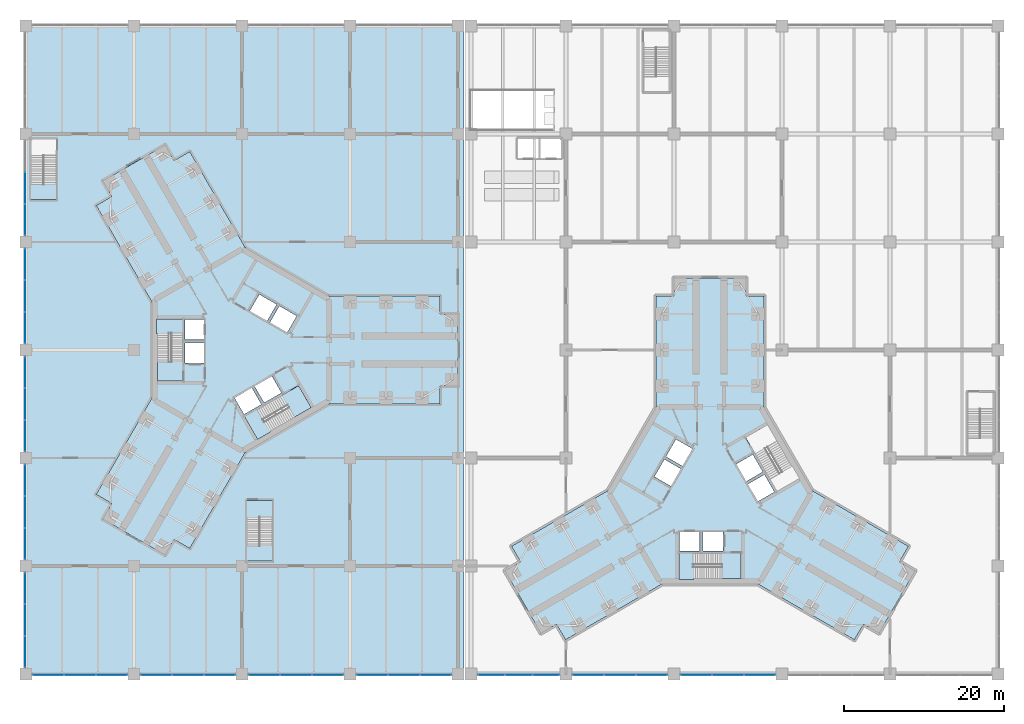
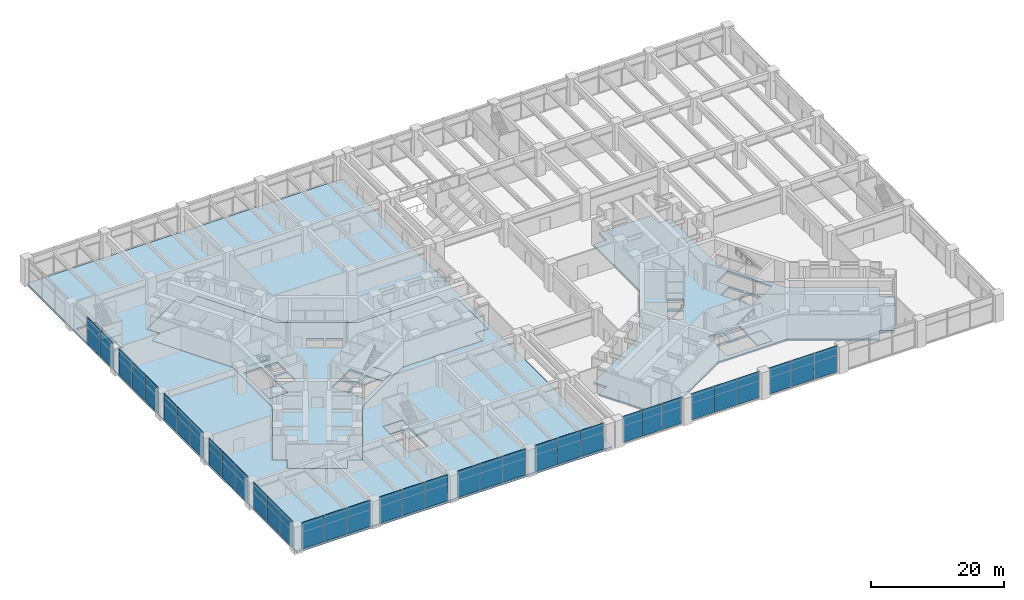
# One storey, part 18 of 32: 35 plates, 12 slabs, 17 elements without a shape of their own.
"""IFC4 building model written with IfcOpenShell, lengths in metres."""

import ifcopenshell
import ifcopenshell.guid

model = None  # the IFC model being written
_history = None  # IfcOwnerHistory: only IFC2X3 demands one
_inside = {}  # id of a spatial element -> (the spatial element, [elements in it])
_under = {}  # id of a project, library or spatial element -> (it, [spatial elements below it])
_declared = {}  # id of a project -> (the project, [libraries it declares])
_typed = {}  # id of a type object -> (the type object, [elements of that type])
_made_of = {}  # id of a material, layer set ... -> (it, [elements and type objects made of it])


def new_model(schema):
    """Start an empty IFC model of exactly this schema.

    Asked for "IFC4X3", IfcOpenShell would pick the latest addendum, in which some entities
    have other attributes; the version numbers below select the first issue.
    IFC2X3 requires an IfcOwnerHistory on every rooted entity: one is made here for all.
    """
    global model, _history
    if schema == "IFC4X3":
        model = ifcopenshell.file(schema_version=(4, 3, 0, 0))
    else:
        model = ifcopenshell.file(schema=schema)
    _inside.clear()
    _under.clear()
    _declared.clear()
    _typed.clear()
    _made_of.clear()
    _history = None
    if model.schema == "IFC2X3":
        org = make("IfcOrganization", Name="unknown")
        user = make(
            "IfcPersonAndOrganization",
            ThePerson=make("IfcPerson", FamilyName="unknown"),
            TheOrganization=org,
        )
        app = make(
            "IfcApplication",
            ApplicationDeveloper=org,
            Version="unknown",
            ApplicationFullName="unknown",
            ApplicationIdentifier="unknown",
        )
        _history = make(
            "IfcOwnerHistory",
            OwningUser=user,
            OwningApplication=app,
            ChangeAction="ADDED",
            CreationDate=0,
        )
    return model


def make(cls, **values):
    """One entity of the class cls with the attributes given. An attribute that is None is left unset."""
    return model.create_entity(
        cls, **{name: value for name, value in values.items() if value is not None}
    )


def rooted(cls, **values):
    """An entity with a GlobalId (a new one), such as an element, a storey or a relation."""
    return make(cls, GlobalId=ifcopenshell.guid.new(), OwnerHistory=_history, **values)


def si_unit(unit_type, name, prefix=None):
    """IfcSIUnit, for example si_unit("LENGTHUNIT", "METRE", prefix="MILLI")."""
    return make("IfcSIUnit", UnitType=unit_type, Prefix=prefix, Name=name)


def assignment(units):
    """IfcUnitAssignment: the units of a project."""
    return None if units is None else make("IfcUnitAssignment", Units=units)


def point(xyz):
    """IfcCartesianPoint."""
    return None if xyz is None else make("IfcCartesianPoint", Coordinates=xyz)


def direction(xyz):
    """IfcDirection."""
    return None if xyz is None else make("IfcDirection", DirectionRatios=xyz)


def frame(location, z_axis=None, x_axis=None):
    """IfcAxis2Placement3D, a coordinate frame: its origin and axes. An axis left out is left unset."""
    return make(
        "IfcAxis2Placement3D",
        Location=point(location),
        Axis=direction(z_axis),
        RefDirection=direction(x_axis),
    )


def frame_2d(location, x_axis=None):
    """IfcAxis2Placement2D, a coordinate frame in the plane: its origin and x axis."""
    return make(
        "IfcAxis2Placement2D", Location=point(location), RefDirection=direction(x_axis)
    )


def origin():
    """The frame at (0, 0, 0) with its axes left unset."""
    return frame((0.0, 0.0, 0.0))


def origin_2d():
    """The frame at (0, 0) in the plane with its x axis left unset."""
    return frame_2d((0.0, 0.0))


def place(relative_to, where):
    """IfcLocalPlacement: puts the frame where relative to a parent placement (None: the world)."""
    return make(
        "IfcLocalPlacement", PlacementRelTo=relative_to, RelativePlacement=where
    )


def context(
    kind, dimensions, precision=None, world=None, true_north=None, identifier=None
):
    """IfcGeometricRepresentationContext, for example the 3D "Model" context."""
    return make(
        "IfcGeometricRepresentationContext",
        ContextIdentifier=identifier,
        ContextType=kind,
        CoordinateSpaceDimension=dimensions,
        Precision=precision,
        WorldCoordinateSystem=world,
        TrueNorth=true_north,
    )


def subcontext(parent, identifier, kind, view, scale=None):
    """IfcGeometricRepresentationSubContext, for example "Body" below "Model"."""
    return make(
        "IfcGeometricRepresentationSubContext",
        ContextIdentifier=identifier,
        ContextType=kind,
        ParentContext=parent,
        TargetScale=scale,
        TargetView=view,
    )


def project(units=None, contexts=None):
    """IfcProject with its units and contexts."""
    return rooted(
        "IfcProject",
        Name="project",
        RepresentationContexts=contexts,
        UnitsInContext=assignment(units),
    )


def spatial(cls, under=None, at=None, **own):
    """A site, building, storey or space (cls), placed at a placement, below another one or the project."""
    s = rooted(cls, ObjectPlacement=at, **own)
    if under is not None:
        _under.setdefault(under.id(), (under, []))[1].append(s)
    return s


def polyline(points):
    """IfcPolyline through the points."""
    return make("IfcPolyline", Points=[point(p) for p in points])


def profile(cls, at=None, kind="AREA", **sizes):
    """A parametric profile (cls). Its sizes go by their IFC names, for example OverallWidth=200.0."""
    return make(cls, ProfileType=kind, Position=at, **sizes)


def rectangle(**sizes):
    """IfcRectangleProfileDef."""
    return profile("IfcRectangleProfileDef", **sizes)


def outline(outer, holes=None, kind="AREA"):
    """IfcArbitraryClosedProfileDef: a profile drawn as a closed curve; with holes, ...WithVoids."""
    if holes is None:
        return make("IfcArbitraryClosedProfileDef", ProfileType=kind, OuterCurve=outer)
    return make(
        "IfcArbitraryProfileDefWithVoids",
        ProfileType=kind,
        OuterCurve=outer,
        InnerCurves=holes,
    )


def extrude(swept, where, along, depth):
    """IfcExtrudedAreaSolid: the profile swept, set in the frame where, extruded along a direction by depth."""
    return make(
        "IfcExtrudedAreaSolid",
        SweptArea=swept,
        Position=where,
        ExtrudedDirection=direction(along),
        Depth=depth,
    )


def shape(context_of_items, identifier, shape_type, items):
    """IfcShapeRepresentation: the items that make up one representation, for example the "Body"."""
    return make(
        "IfcShapeRepresentation",
        ContextOfItems=context_of_items,
        RepresentationIdentifier=identifier,
        RepresentationType=shape_type,
        Items=items,
    )


def material(Name=None, Category=None):
    """IfcMaterial."""
    return make("IfcMaterial", Name=Name, Category=Category)


def layer(
    of_material, thickness, ventilated=None, Name=None, Category=None, Priority=None
):
    """IfcMaterialLayer: one layer of a wall or slab, of a material (None: an air gap)."""
    return make(
        "IfcMaterialLayer",
        Material=of_material,
        LayerThickness=thickness,
        IsVentilated=ventilated,
        Name=Name,
        Category=Category,
        Priority=Priority,
    )


def layer_set(layers, Name=None):
    """IfcMaterialLayerSet."""
    return make("IfcMaterialLayerSet", MaterialLayers=layers, LayerSetName=Name)


def made_of(thing, what):
    """Note that an element or type object is made of a material, layer set ...; save() writes the relation."""
    if what is not None:
        _made_of.setdefault(what.id(), (what, []))[1].append(thing)
    return thing


def type_object(cls, material=None, **own):
    """A type object (cls), such as IfcWallType, which elements share."""
    return made_of(rooted(cls, **own), material)


def element(
    cls,
    number,
    at=None,
    inside=None,
    cuts=None,
    type_object=None,
    material=None,
    context=None,
    identifier="Body",
    shape_type=None,
    held_by="IfcProductDefinitionShape",
    body=None,
    shapes=None,
    **own,
):
    """One element of the class cls, such as IfcWall. Its Tag is "e" and its number.

    at: its placement. inside: the storey or other place that contains it. cuts: it is an
    opening in that element (IfcRelVoidsElement). A single representation is given by context,
    identifier, shape_type and body (its items); several are given by shapes. held_by: the class
    of the entity that holds the representations. save() writes the other relations.
    """
    e = rooted(cls, Tag="e%d" % number, ObjectPlacement=at, **own)
    if body is not None:
        shapes = [shape(context, identifier, shape_type, body)]
    if shapes is not None:
        e.Representation = make(held_by, Representations=shapes)
    if inside is not None:
        _inside.setdefault(inside.id(), (inside, []))[1].append(e)
    if cuts is not None:
        rooted(
            "IfcRelVoidsElement", RelatingBuildingElement=cuts, RelatedOpeningElement=e
        )
    if type_object is not None:
        _typed.setdefault(type_object.id(), (type_object, []))[1].append(e)
    return made_of(e, material)


def aggregate(whole, parts):
    """IfcRelAggregates: a whole, such as a stair, and the parts it consists of."""
    return rooted("IfcRelAggregates", RelatingObject=whole, RelatedObjects=parts)


def save(model, path):
    """Write the relations noted so far, then the file.

    IfcRelAggregates (storeys below a building ...), IfcRelContainedInSpatialStructure (elements
    in a storey), IfcRelDefinesByType, IfcRelAssociatesMaterial and IfcRelDeclares: one each for
    every whole, place, type object, material and project.
    """
    for whole, parts in _under.values():
        aggregate(whole, parts)
    for where, things in _inside.values():
        rooted(
            "IfcRelContainedInSpatialStructure",
            RelatedElements=things,
            RelatingStructure=where,
        )
    for kind, things in _typed.values():
        rooted("IfcRelDefinesByType", RelatedObjects=things, RelatingType=kind)
    for what, things in _made_of.values():
        rooted("IfcRelAssociatesMaterial", RelatedObjects=things, RelatingMaterial=what)
    for by, libraries in _declared.values():
        rooted("IfcRelDeclares", RelatingContext=by, RelatedDefinitions=libraries)
    model.write(path)


model = new_model("IFC4")

# Units and contexts
model_context = context("Model", 3, precision=1e-05, world=origin(), true_north=direction((0.0, 1.0)))
body_context = subcontext(model_context, "Body", "Model", "MODEL_VIEW")
ifc_project = project(units=[si_unit("LENGTHUNIT", "METRE"), si_unit("AREAUNIT", "SQUARE_METRE"), si_unit("VOLUMEUNIT", "CUBIC_METRE"), si_unit("PLANEANGLEUNIT", "RADIAN"), si_unit("MASSUNIT", "GRAM", prefix="KILO")], contexts=[model_context])

# Site, building, storey
site_placement = place(None, origin())
site = spatial("IfcSite", under=ifc_project, at=site_placement, CompositionType="ELEMENT")
building_placement = place(site_placement, origin())
building = spatial("IfcBuilding", under=site, at=building_placement, Name="Upepo Twin Towers", CompositionType="ELEMENT")
storey_placement = place(building_placement, frame((0.0, 0.0, 10.5)))
storey = spatial("IfcBuildingStorey", under=building, at=storey_placement, Name="L02", CompositionType="ELEMENT", Elevation=10.5)

# Curtain wall, plates
ifc_material_1 = material(Name="Aluminium and clear glass", Category="aluminium")
curtain_wall_type = type_object("IfcCurtainWallType", Name="Podium curtain wall PW1", PredefinedType="NOTDEFINED", material=ifc_material_1)
curtain_wall_1_placement = place(storey_placement, origin())
curtain_wall_1 = element("IfcCurtainWall", 1, at=curtain_wall_1_placement, inside=storey, type_object=curtain_wall_type, Name="Podium L02 curtain wall S1", PredefinedType="NOTDEFINED")
ifc_material_2 = material(Name="Ceramic-fritted laminated glass", Category="glass")
ifc_layer_1 = layer(ifc_material_2, 0.031982421875)
ifc_layer_set_1 = layer_set([ifc_layer_1], Name="Fritted glass panel, 32 mm double glazed")
plate_type_1 = type_object("IfcPlateType", Name="Fritted glass panel, 32 mm double glazed", PredefinedType="CURTAIN_PANEL", material=ifc_layer_set_1)
plate_1_placement = place(storey_placement, frame((-24.21044921875, -40.60009765625, 0.14990234375), z_axis=(0.0, 0.0, 1.0), x_axis=(1.0, 0.0, 0.0)))
plate_1 = element("IfcPlate", 2, at=plate_1_placement, type_object=plate_type_1, Name="Podium L02 curtain wall S1 panel 1", PredefinedType="CURTAIN_PANEL", context=body_context, shape_type="SweptSolid", body=[
    extrude(rectangle(XDim=3.879150390625, YDim=0.031982421875, at=origin_2d()), origin(), (0.0, 0.0, 1.0), 4.85009765625),
])
plate_2_placement = place(storey_placement, frame((-16.28955078125, -40.60009765625, 0.14990234375), z_axis=(0.0, 0.0, 1.0), x_axis=(1.0, 0.0, 0.0)))
plate_2 = element("IfcPlate", 3, at=plate_2_placement, type_object=plate_type_1, Name="Podium L02 curtain wall S1 panel 3", PredefinedType="CURTAIN_PANEL", context=body_context, shape_type="SweptSolid", body=[
    extrude(rectangle(XDim=3.879150390625, YDim=0.031982421875, at=origin_2d()), origin(), (0.0, 0.0, 1.0), 4.85009765625),
])

curtain_wall_2_placement = place(storey_placement, origin())
curtain_wall_2 = element("IfcCurtainWall", 4, at=curtain_wall_2_placement, inside=storey, type_object=curtain_wall_type, Name="Podium L02 curtain wall S2", PredefinedType="NOTDEFINED")
plate_3_placement = place(storey_placement, frame((-10.71044921875, -40.60009765625, 0.14990234375), z_axis=(0.0, 0.0, 1.0), x_axis=(1.0, 0.0, 0.0)))
plate_3 = element("IfcPlate", 5, at=plate_3_placement, type_object=plate_type_1, Name="Podium L02 curtain wall S2 panel 1", PredefinedType="CURTAIN_PANEL", context=body_context, shape_type="SweptSolid", body=[
    extrude(rectangle(XDim=3.879150390625, YDim=0.031982421875, at=origin_2d()), origin(), (0.0, 0.0, 1.0), 4.85009765625),
])
plate_4_placement = place(storey_placement, frame((-2.78955078125, -40.60009765625, 0.14990234375), z_axis=(0.0, 0.0, 1.0), x_axis=(1.0, 0.0, 0.0)))
plate_4 = element("IfcPlate", 6, at=plate_4_placement, type_object=plate_type_1, Name="Podium L02 curtain wall S2 panel 3", PredefinedType="CURTAIN_PANEL", context=body_context, shape_type="SweptSolid", body=[
    extrude(rectangle(XDim=3.879150390625, YDim=0.031982421875, at=origin_2d()), origin(), (0.0, 0.0, 1.0), 4.85009765625),
])

curtain_wall_3_placement = place(storey_placement, origin())
curtain_wall_3 = element("IfcCurtainWall", 7, at=curtain_wall_3_placement, inside=storey, type_object=curtain_wall_type, Name="Podium L02 curtain wall S3", PredefinedType="NOTDEFINED")
plate_5_placement = place(storey_placement, frame((2.78955078125, -40.60009765625, 0.14990234375), z_axis=(0.0, 0.0, 1.0), x_axis=(1.0, 0.0, 0.0)))
plate_5 = element("IfcPlate", 8, at=plate_5_placement, type_object=plate_type_1, Name="Podium L02 curtain wall S3 panel 1", PredefinedType="CURTAIN_PANEL", context=body_context, shape_type="SweptSolid", body=[
    extrude(rectangle(XDim=3.879150390625, YDim=0.031982421875, at=origin_2d()), origin(), (0.0, 0.0, 1.0), 4.85009765625),
])
plate_6_placement = place(storey_placement, frame((10.71044921875, -40.60009765625, 0.14990234375), z_axis=(0.0, 0.0, 1.0), x_axis=(1.0, 0.0, 0.0)))
plate_6 = element("IfcPlate", 9, at=plate_6_placement, type_object=plate_type_1, Name="Podium L02 curtain wall S3 panel 3", PredefinedType="CURTAIN_PANEL", context=body_context, shape_type="SweptSolid", body=[
    extrude(rectangle(XDim=3.879150390625, YDim=0.031982421875, at=origin_2d()), origin(), (0.0, 0.0, 1.0), 4.85009765625),
])

curtain_wall_4_placement = place(storey_placement, origin())
curtain_wall_4 = element("IfcCurtainWall", 10, at=curtain_wall_4_placement, inside=storey, type_object=curtain_wall_type, Name="Podium L02 curtain wall S4", PredefinedType="NOTDEFINED")
plate_7_placement = place(storey_placement, frame((16.28955078125, -40.60009765625, 0.14990234375), z_axis=(0.0, 0.0, 1.0), x_axis=(1.0, 0.0, 0.0)))
plate_7 = element("IfcPlate", 11, at=plate_7_placement, type_object=plate_type_1, Name="Podium L02 curtain wall S4 panel 1", PredefinedType="CURTAIN_PANEL", context=body_context, shape_type="SweptSolid", body=[
    extrude(rectangle(XDim=3.879150390625, YDim=0.031982421875, at=origin_2d()), origin(), (0.0, 0.0, 1.0), 4.85009765625),
])
plate_8_placement = place(storey_placement, frame((24.21044921875, -40.60009765625, 0.14990234375), z_axis=(0.0, 0.0, 1.0), x_axis=(1.0, 0.0, 0.0)))
plate_8 = element("IfcPlate", 12, at=plate_8_placement, type_object=plate_type_1, Name="Podium L02 curtain wall S4 panel 3", PredefinedType="CURTAIN_PANEL", context=body_context, shape_type="SweptSolid", body=[
    extrude(rectangle(XDim=3.879150390625, YDim=0.031982421875, at=origin_2d()), origin(), (0.0, 0.0, 1.0), 4.85009765625),
])

curtain_wall_5_placement = place(storey_placement, origin())
curtain_wall_5 = element("IfcCurtainWall", 13, at=curtain_wall_5_placement, inside=storey, type_object=curtain_wall_type, Name="Podium L02 curtain wall S5", PredefinedType="NOTDEFINED")
plate_9_placement = place(storey_placement, frame((31.16455078125, -40.60009765625, 0.14990234375), z_axis=(0.0, 0.0, 1.0), x_axis=(1.0, 0.0, 0.0)))
plate_9 = element("IfcPlate", 14, at=plate_9_placement, type_object=plate_type_1, Name="Podium L02 curtain wall S5 panel 1", PredefinedType="CURTAIN_PANEL", context=body_context, shape_type="SweptSolid", body=[
    extrude(rectangle(XDim=3.3291015625, YDim=0.031982421875, at=origin_2d()), origin(), (0.0, 0.0, 1.0), 4.85009765625),
])
plate_10_placement = place(storey_placement, frame((37.9853515625, -40.60009765625, 0.14990234375), z_axis=(0.0, 0.0, 1.0), x_axis=(1.0, 0.0, 0.0)))
plate_10 = element("IfcPlate", 15, at=plate_10_placement, type_object=plate_type_1, Name="Podium L02 curtain wall S5 panel 3", PredefinedType="CURTAIN_PANEL", context=body_context, shape_type="SweptSolid", body=[
    extrude(rectangle(XDim=3.3291015625, YDim=0.031982421875, at=origin_2d()), origin(), (0.0, 0.0, 1.0), 4.85009765625),
])

curtain_wall_6_placement = place(storey_placement, origin())
curtain_wall_6 = element("IfcCurtainWall", 16, at=curtain_wall_6_placement, inside=storey, type_object=curtain_wall_type, Name="Podium L02 curtain wall S6", PredefinedType="NOTDEFINED")
plate_11_placement = place(storey_placement, frame((43.28955078125, -40.60009765625, 0.14990234375), z_axis=(0.0, 0.0, 1.0), x_axis=(1.0, 0.0, 0.0)))
plate_11 = element("IfcPlate", 17, at=plate_11_placement, type_object=plate_type_1, Name="Podium L02 curtain wall S6 panel 1", PredefinedType="CURTAIN_PANEL", context=body_context, shape_type="SweptSolid", body=[
    extrude(rectangle(XDim=3.879150390625, YDim=0.031982421875, at=origin_2d()), origin(), (0.0, 0.0, 1.0), 4.85009765625),
])
plate_12_placement = place(storey_placement, frame((51.21044921875, -40.60009765625, 0.14990234375), z_axis=(0.0, 0.0, 1.0), x_axis=(1.0, 0.0, 0.0)))
plate_12 = element("IfcPlate", 18, at=plate_12_placement, type_object=plate_type_1, Name="Podium L02 curtain wall S6 panel 3", PredefinedType="CURTAIN_PANEL", context=body_context, shape_type="SweptSolid", body=[
    extrude(rectangle(XDim=3.879150390625, YDim=0.031982421875, at=origin_2d()), origin(), (0.0, 0.0, 1.0), 4.85009765625),
])

curtain_wall_7_placement = place(storey_placement, origin())
curtain_wall_7 = element("IfcCurtainWall", 19, at=curtain_wall_7_placement, inside=storey, type_object=curtain_wall_type, Name="Podium L02 curtain wall S7", PredefinedType="NOTDEFINED")
plate_13_placement = place(storey_placement, frame((56.78955078125, -40.60009765625, 0.14990234375), z_axis=(0.0, 0.0, 1.0), x_axis=(1.0, 0.0, 0.0)))
plate_13 = element("IfcPlate", 20, at=plate_13_placement, type_object=plate_type_1, Name="Podium L02 curtain wall S7 panel 1", PredefinedType="CURTAIN_PANEL", context=body_context, shape_type="SweptSolid", body=[
    extrude(rectangle(XDim=3.879150390625, YDim=0.031982421875, at=origin_2d()), origin(), (0.0, 0.0, 1.0), 4.85009765625),
])
plate_14_placement = place(storey_placement, frame((64.71044921875, -40.60009765625, 0.14990234375), z_axis=(0.0, 0.0, 1.0), x_axis=(1.0, 0.0, 0.0)))
plate_14 = element("IfcPlate", 21, at=plate_14_placement, type_object=plate_type_1, Name="Podium L02 curtain wall S7 panel 3", PredefinedType="CURTAIN_PANEL", context=body_context, shape_type="SweptSolid", body=[
    extrude(rectangle(XDim=3.879150390625, YDim=0.031982421875, at=origin_2d()), origin(), (0.0, 0.0, 1.0), 4.85009765625),
])

# Curtain wall, plate
curtain_wall_8_placement = place(storey_placement, origin())
curtain_wall_8 = element("IfcCurtainWall", 22, at=curtain_wall_8_placement, inside=storey, type_object=curtain_wall_type, Name="Podium L02 curtain wall W2", PredefinedType="NOTDEFINED")
plate_15_placement = place(storey_placement, frame((-27.10009765625, 16.28955078125, 0.14990234375), z_axis=(0.0, 0.0, 1.0), x_axis=(0.0, -1.0, 0.0)))
plate_15 = element("IfcPlate", 23, at=plate_15_placement, type_object=plate_type_1, Name="Podium L02 curtain wall W2 panel 3", PredefinedType="CURTAIN_PANEL", context=body_context, shape_type="SweptSolid", body=[
    extrude(rectangle(XDim=3.879150390625, YDim=0.031982421875, at=origin_2d()), origin(), (0.0, 0.0, 1.0), 4.85009765625),
])

# Curtain wall, plates
curtain_wall_9_placement = place(storey_placement, origin())
curtain_wall_9 = element("IfcCurtainWall", 24, at=curtain_wall_9_placement, inside=storey, type_object=curtain_wall_type, Name="Podium L02 curtain wall W3", PredefinedType="NOTDEFINED")
plate_16_placement = place(storey_placement, frame((-27.10009765625, 10.71044921875, 0.14990234375), z_axis=(0.0, 0.0, 1.0), x_axis=(0.0, -1.0, 0.0)))
plate_16 = element("IfcPlate", 25, at=plate_16_placement, type_object=plate_type_1, Name="Podium L02 curtain wall W3 panel 1", PredefinedType="CURTAIN_PANEL", context=body_context, shape_type="SweptSolid", body=[
    extrude(rectangle(XDim=3.879150390625, YDim=0.031982421875, at=origin_2d()), origin(), (0.0, 0.0, 1.0), 4.85009765625),
])
plate_17_placement = place(storey_placement, frame((-27.10009765625, 2.78955078125, 0.14990234375), z_axis=(0.0, 0.0, 1.0), x_axis=(0.0, -1.0, 0.0)))
plate_17 = element("IfcPlate", 26, at=plate_17_placement, type_object=plate_type_1, Name="Podium L02 curtain wall W3 panel 3", PredefinedType="CURTAIN_PANEL", context=body_context, shape_type="SweptSolid", body=[
    extrude(rectangle(XDim=3.879150390625, YDim=0.031982421875, at=origin_2d()), origin(), (0.0, 0.0, 1.0), 4.85009765625),
])

curtain_wall_10_placement = place(storey_placement, origin())
curtain_wall_10 = element("IfcCurtainWall", 27, at=curtain_wall_10_placement, inside=storey, type_object=curtain_wall_type, Name="Podium L02 curtain wall W4", PredefinedType="NOTDEFINED")
plate_18_placement = place(storey_placement, frame((-27.10009765625, -2.78955078125, 0.14990234375), z_axis=(0.0, 0.0, 1.0), x_axis=(0.0, -1.0, 0.0)))
plate_18 = element("IfcPlate", 28, at=plate_18_placement, type_object=plate_type_1, Name="Podium L02 curtain wall W4 panel 1", PredefinedType="CURTAIN_PANEL", context=body_context, shape_type="SweptSolid", body=[
    extrude(rectangle(XDim=3.879150390625, YDim=0.031982421875, at=origin_2d()), origin(), (0.0, 0.0, 1.0), 4.85009765625),
])
plate_19_placement = place(storey_placement, frame((-27.10009765625, -10.71044921875, 0.14990234375), z_axis=(0.0, 0.0, 1.0), x_axis=(0.0, -1.0, 0.0)))
plate_19 = element("IfcPlate", 29, at=plate_19_placement, type_object=plate_type_1, Name="Podium L02 curtain wall W4 panel 3", PredefinedType="CURTAIN_PANEL", context=body_context, shape_type="SweptSolid", body=[
    extrude(rectangle(XDim=3.879150390625, YDim=0.031982421875, at=origin_2d()), origin(), (0.0, 0.0, 1.0), 4.85009765625),
])

curtain_wall_11_placement = place(storey_placement, origin())
curtain_wall_11 = element("IfcCurtainWall", 30, at=curtain_wall_11_placement, inside=storey, type_object=curtain_wall_type, Name="Podium L02 curtain wall W5", PredefinedType="NOTDEFINED")
plate_20_placement = place(storey_placement, frame((-27.10009765625, -16.28955078125, 0.14990234375), z_axis=(0.0, 0.0, 1.0), x_axis=(0.0, -1.0, 0.0)))
plate_20 = element("IfcPlate", 31, at=plate_20_placement, type_object=plate_type_1, Name="Podium L02 curtain wall W5 panel 1", PredefinedType="CURTAIN_PANEL", context=body_context, shape_type="SweptSolid", body=[
    extrude(rectangle(XDim=3.879150390625, YDim=0.031982421875, at=origin_2d()), origin(), (0.0, 0.0, 1.0), 4.85009765625),
])
plate_21_placement = place(storey_placement, frame((-27.10009765625, -24.21044921875, 0.14990234375), z_axis=(0.0, 0.0, 1.0), x_axis=(0.0, -1.0, 0.0)))
plate_21 = element("IfcPlate", 32, at=plate_21_placement, type_object=plate_type_1, Name="Podium L02 curtain wall W5 panel 3", PredefinedType="CURTAIN_PANEL", context=body_context, shape_type="SweptSolid", body=[
    extrude(rectangle(XDim=3.879150390625, YDim=0.031982421875, at=origin_2d()), origin(), (0.0, 0.0, 1.0), 4.85009765625),
])

curtain_wall_12_placement = place(storey_placement, origin())
curtain_wall_12 = element("IfcCurtainWall", 33, at=curtain_wall_12_placement, inside=storey, type_object=curtain_wall_type, Name="Podium L02 curtain wall W6", PredefinedType="NOTDEFINED")
plate_22_placement = place(storey_placement, frame((-27.10009765625, -29.78955078125, 0.14990234375), z_axis=(0.0, 0.0, 1.0), x_axis=(0.0, -1.0, 0.0)))
plate_22 = element("IfcPlate", 34, at=plate_22_placement, type_object=plate_type_1, Name="Podium L02 curtain wall W6 panel 1", PredefinedType="CURTAIN_PANEL", context=body_context, shape_type="SweptSolid", body=[
    extrude(rectangle(XDim=3.879150390625, YDim=0.031982421875, at=origin_2d()), origin(), (0.0, 0.0, 1.0), 4.85009765625),
])
plate_23_placement = place(storey_placement, frame((-27.10009765625, -37.71044921875, 0.14990234375), z_axis=(0.0, 0.0, 1.0), x_axis=(0.0, -1.0, 0.0)))
plate_23 = element("IfcPlate", 35, at=plate_23_placement, type_object=plate_type_1, Name="Podium L02 curtain wall W6 panel 3", PredefinedType="CURTAIN_PANEL", context=body_context, shape_type="SweptSolid", body=[
    extrude(rectangle(XDim=3.879150390625, YDim=0.031982421875, at=origin_2d()), origin(), (0.0, 0.0, 1.0), 4.85009765625),
])

# Plate
ifc_material_3 = material(Name="Clear laminated glass in opening sash", Category="glass")
ifc_layer_2 = layer(ifc_material_3, 0.031982421875)
ifc_layer_set_2 = layer_set([ifc_layer_2], Name="Operable glass panel, 32 mm double glazed")
plate_type_2 = type_object("IfcPlateType", Name="Operable glass panel, 32 mm double glazed", PredefinedType="CURTAIN_PANEL", material=ifc_layer_set_2)
plate_24_placement = place(storey_placement, frame((-20.25, -40.60009765625, 0.14990234375), z_axis=(0.0, 0.0, 1.0), x_axis=(1.0, 0.0, 0.0)))
plate_24 = element("IfcPlate", 36, at=plate_24_placement, type_object=plate_type_2, Name="Podium L02 curtain wall S1 panel 2", PredefinedType="CURTAIN_PANEL", context=body_context, shape_type="SweptSolid", body=[
    extrude(rectangle(XDim=3.91162109375, YDim=0.031982421875, at=origin_2d()), origin(), (0.0, 0.0, 1.0), 4.85009765625),
])

aggregate(curtain_wall_1, [plate_1, plate_24, plate_2])

plate_25_placement = place(storey_placement, frame((-6.75, -40.60009765625, 0.14990234375), z_axis=(0.0, 0.0, 1.0), x_axis=(1.0, 0.0, 0.0)))
plate_25 = element("IfcPlate", 37, at=plate_25_placement, type_object=plate_type_2, Name="Podium L02 curtain wall S2 panel 2", PredefinedType="CURTAIN_PANEL", context=body_context, shape_type="SweptSolid", body=[
    extrude(rectangle(XDim=3.91162109375, YDim=0.031982421875, at=origin_2d()), origin(), (0.0, 0.0, 1.0), 4.85009765625),
])

aggregate(curtain_wall_2, [plate_3, plate_25, plate_4])

plate_26_placement = place(storey_placement, frame((6.75, -40.60009765625, 0.14990234375), z_axis=(0.0, 0.0, 1.0), x_axis=(1.0, 0.0, 0.0)))
plate_26 = element("IfcPlate", 38, at=plate_26_placement, type_object=plate_type_2, Name="Podium L02 curtain wall S3 panel 2", PredefinedType="CURTAIN_PANEL", context=body_context, shape_type="SweptSolid", body=[
    extrude(rectangle(XDim=3.91162109375, YDim=0.031982421875, at=origin_2d()), origin(), (0.0, 0.0, 1.0), 4.85009765625),
])

aggregate(curtain_wall_3, [plate_5, plate_26, plate_6])

plate_27_placement = place(storey_placement, frame((20.25, -40.60009765625, 0.14990234375), z_axis=(0.0, 0.0, 1.0), x_axis=(1.0, 0.0, 0.0)))
plate_27 = element("IfcPlate", 39, at=plate_27_placement, type_object=plate_type_2, Name="Podium L02 curtain wall S4 panel 2", PredefinedType="CURTAIN_PANEL", context=body_context, shape_type="SweptSolid", body=[
    extrude(rectangle(XDim=3.91162109375, YDim=0.031982421875, at=origin_2d()), origin(), (0.0, 0.0, 1.0), 4.85009765625),
])

aggregate(curtain_wall_4, [plate_7, plate_27, plate_8])

plate_28_placement = place(storey_placement, frame((34.574951171875, -40.60009765625, 0.14990234375), z_axis=(0.0, 0.0, 1.0), x_axis=(1.0, 0.0, 0.0)))
plate_28 = element("IfcPlate", 40, at=plate_28_placement, type_object=plate_type_2, Name="Podium L02 curtain wall S5 panel 2", PredefinedType="CURTAIN_PANEL", context=body_context, shape_type="SweptSolid", body=[
    extrude(rectangle(XDim=3.361572265625, YDim=0.031982421875, at=origin_2d()), origin(), (0.0, 0.0, 1.0), 4.85009765625),
])

aggregate(curtain_wall_5, [plate_9, plate_28, plate_10])

plate_29_placement = place(storey_placement, frame((47.25, -40.60009765625, 0.14990234375), z_axis=(0.0, 0.0, 1.0), x_axis=(1.0, 0.0, 0.0)))
plate_29 = element("IfcPlate", 41, at=plate_29_placement, type_object=plate_type_2, Name="Podium L02 curtain wall S6 panel 2", PredefinedType="CURTAIN_PANEL", context=body_context, shape_type="SweptSolid", body=[
    extrude(rectangle(XDim=3.91162109375, YDim=0.031982421875, at=origin_2d()), origin(), (0.0, 0.0, 1.0), 4.85009765625),
])

aggregate(curtain_wall_6, [plate_11, plate_29, plate_12])

plate_30_placement = place(storey_placement, frame((60.75, -40.60009765625, 0.14990234375), z_axis=(0.0, 0.0, 1.0), x_axis=(1.0, 0.0, 0.0)))
plate_30 = element("IfcPlate", 42, at=plate_30_placement, type_object=plate_type_2, Name="Podium L02 curtain wall S7 panel 2", PredefinedType="CURTAIN_PANEL", context=body_context, shape_type="SweptSolid", body=[
    extrude(rectangle(XDim=3.91162109375, YDim=0.031982421875, at=origin_2d()), origin(), (0.0, 0.0, 1.0), 4.85009765625),
])

aggregate(curtain_wall_7, [plate_13, plate_30, plate_14])

plate_31_placement = place(storey_placement, frame((-27.10009765625, 20.25, 0.14990234375), z_axis=(0.0, 0.0, 1.0), x_axis=(0.0, -1.0, 0.0)))
plate_31 = element("IfcPlate", 43, at=plate_31_placement, type_object=plate_type_2, Name="Podium L02 curtain wall W2 panel 2", PredefinedType="CURTAIN_PANEL", context=body_context, shape_type="SweptSolid", body=[
    extrude(rectangle(XDim=3.91162109375, YDim=0.031982421875, at=origin_2d()), origin(), (0.0, 0.0, 1.0), 4.85009765625),
])

aggregate(curtain_wall_8, [plate_31, plate_15])

plate_32_placement = place(storey_placement, frame((-27.10009765625, 6.75, 0.14990234375), z_axis=(0.0, 0.0, 1.0), x_axis=(0.0, -1.0, 0.0)))
plate_32 = element("IfcPlate", 44, at=plate_32_placement, type_object=plate_type_2, Name="Podium L02 curtain wall W3 panel 2", PredefinedType="CURTAIN_PANEL", context=body_context, shape_type="SweptSolid", body=[
    extrude(rectangle(XDim=3.91162109375, YDim=0.031982421875, at=origin_2d()), origin(), (0.0, 0.0, 1.0), 4.85009765625),
])

aggregate(curtain_wall_9, [plate_16, plate_32, plate_17])

plate_33_placement = place(storey_placement, frame((-27.10009765625, -6.75, 0.14990234375), z_axis=(0.0, 0.0, 1.0), x_axis=(0.0, -1.0, 0.0)))
plate_33 = element("IfcPlate", 45, at=plate_33_placement, type_object=plate_type_2, Name="Podium L02 curtain wall W4 panel 2", PredefinedType="CURTAIN_PANEL", context=body_context, shape_type="SweptSolid", body=[
    extrude(rectangle(XDim=3.91162109375, YDim=0.031982421875, at=origin_2d()), origin(), (0.0, 0.0, 1.0), 4.85009765625),
])

aggregate(curtain_wall_10, [plate_18, plate_33, plate_19])

plate_34_placement = place(storey_placement, frame((-27.10009765625, -20.25, 0.14990234375), z_axis=(0.0, 0.0, 1.0), x_axis=(0.0, -1.0, 0.0)))
plate_34 = element("IfcPlate", 46, at=plate_34_placement, type_object=plate_type_2, Name="Podium L02 curtain wall W5 panel 2", PredefinedType="CURTAIN_PANEL", context=body_context, shape_type="SweptSolid", body=[
    extrude(rectangle(XDim=3.91162109375, YDim=0.031982421875, at=origin_2d()), origin(), (0.0, 0.0, 1.0), 4.85009765625),
])

aggregate(curtain_wall_11, [plate_20, plate_34, plate_21])

plate_35_placement = place(storey_placement, frame((-27.10009765625, -33.75, 0.14990234375), z_axis=(0.0, 0.0, 1.0), x_axis=(0.0, -1.0, 0.0)))
plate_35 = element("IfcPlate", 47, at=plate_35_placement, type_object=plate_type_2, Name="Podium L02 curtain wall W6 panel 2", PredefinedType="CURTAIN_PANEL", context=body_context, shape_type="SweptSolid", body=[
    extrude(rectangle(XDim=3.91162109375, YDim=0.031982421875, at=origin_2d()), origin(), (0.0, 0.0, 1.0), 4.85009765625),
])

aggregate(curtain_wall_12, [plate_22, plate_35, plate_23])

# Slabs
ifc_material_4 = material(Name="Concrete C40/50", Category="concrete")
ifc_layer_3 = layer(ifc_material_4, 0.35009765625)
ifc_layer_set_3 = layer_set([ifc_layer_3], Name="Concrete C40/50")
slab_type_1 = type_object("IfcSlabType", Name="Podium floor slab 350 RC", PredefinedType="FLOOR", material=ifc_layer_set_3)
slab_1_placement = place(storey_placement, frame((0.0, 0.0, -0.35009765625)))
element("IfcSlab", 48, at=slab_1_placement, inside=storey, type_object=slab_type_1, Name="T1 L02 floor slab", PredefinedType="FLOOR", context=body_context, shape_type="SweptSolid", body=[
    extrude(outline(polyline([(-8.477783203125, -23.68408203125), (-9.602783203125, -25.632568359375), (-17.397216796875, -21.132568359375), (-16.272216796875, -19.18408203125), (-18.220703125, -18.05908203125), (-11.25830078125, -6.0), (-11.25830078125, 6.0), (-18.220703125, 18.05908203125), (-16.272216796875, 19.18408203125), (-17.397216796875, 21.132568359375), (-9.602783203125, 25.632568359375), (-8.477783203125, 23.68408203125), (-6.529296875, 24.80908203125), (0.43310546875, 12.75), (10.825439453125, 6.75), (24.75, 6.75), (24.75, 4.5), (27.0, 4.5), (27.0, -4.5), (24.75, -4.5), (24.75, -6.75), (10.825439453125, -6.75), (0.43310546875, -12.75), (-6.529296875, -24.80908203125), (-8.477783203125, -23.68408203125)]), holes=[polyline([(5.640869140625, 2.17041015625), (6.8408203125, 4.248779296875), (4.67578125, 5.498779296875), (3.475830078125, 3.42041015625), (5.640869140625, 2.17041015625)]), polyline([(3.12939453125, 3.620361328125), (4.329345703125, 5.69873046875), (2.164306640625, 6.94873046875), (0.96435546875, 4.870361328125), (3.12939453125, 3.620361328125)]), polyline([(-4.699951171875, 3.800048828125), (-7.10009765625, 3.800048828125), (-7.10009765625, 1.300048828125), (-4.699951171875, 1.300048828125), (-4.699951171875, 3.800048828125)]), polyline([(-4.699951171875, 0.89990234375), (-7.10009765625, 0.89990234375), (-7.10009765625, -1.60009765625), (-4.699951171875, -1.60009765625), (-4.699951171875, 0.89990234375)]), polyline([(-7.39990234375, 3.89990234375), (-10.558349609375, 3.89990234375), (-10.558349609375, -3.89990234375), (-7.39990234375, -3.89990234375), (-7.39990234375, 3.89990234375)]), polyline([(-0.94091796875, -5.97021484375), (0.259033203125, -8.048828125), (2.424072265625, -6.798828125), (1.22412109375, -4.72021484375), (-0.94091796875, -5.97021484375)]), polyline([(1.570556640625, -4.520263671875), (2.7705078125, -6.598876953125), (4.935546875, -5.348876953125), (3.735595703125, -3.270263671875), (1.570556640625, -4.520263671875)]), polyline([(0.322509765625, -8.358642578125), (1.901611328125, -11.09375), (8.65673828125, -7.19384765625), (7.077392578125, -4.45849609375), (0.322509765625, -8.358642578125)])]), origin(), (0.0, 0.0, 1.0), 0.35009765625),
])
slab_2_placement = place(storey_placement, frame((0.0, 0.0, -0.35009765625)))
element("IfcSlab", 49, at=slab_2_placement, inside=storey, type_object=slab_type_1, Name="T2 L02 floor slab", PredefinedType="FLOOR", context=body_context, shape_type="SweptSolid", body=[
    extrude(outline(polyline([(82.18408203125, -26.477783203125), (84.132568359375, -27.602783203125), (79.632568359375, -35.397216796875), (77.68408203125, -34.272216796875), (76.55908203125, -36.220703125), (64.5, -29.25830078125), (52.5, -29.25830078125), (40.44091796875, -36.220703125), (39.31591796875, -34.272216796875), (37.367431640625, -35.397216796875), (32.867431640625, -27.602783203125), (34.81591796875, -26.477783203125), (33.69091796875, -24.529296875), (45.75, -17.56689453125), (51.75, -7.174560546875), (51.75, 6.75), (54.0, 6.75), (54.0, 9.0), (63.0, 9.0), (63.0, 6.75), (65.25, 6.75), (65.25, -7.174560546875), (71.25, -17.56689453125), (83.30908203125, -24.529296875), (82.18408203125, -26.477783203125)]), holes=[polyline([(56.32958984375, -12.359130859375), (54.251220703125, -11.1591796875), (53.001220703125, -13.32421875), (55.07958984375, -14.524169921875), (56.32958984375, -12.359130859375)]), polyline([(54.879638671875, -14.87060546875), (52.80126953125, -13.670654296875), (51.55126953125, -15.835693359375), (53.629638671875, -17.03564453125), (54.879638671875, -14.87060546875)]), polyline([(54.699951171875, -22.699951171875), (54.699951171875, -25.10009765625), (57.199951171875, -25.10009765625), (57.199951171875, -22.699951171875), (54.699951171875, -22.699951171875)]), polyline([(57.60009765625, -22.699951171875), (57.60009765625, -25.10009765625), (60.10009765625, -25.10009765625), (60.10009765625, -22.699951171875), (57.60009765625, -22.699951171875)]), polyline([(54.60009765625, -25.39990234375), (54.60009765625, -28.558349609375), (62.39990234375, -28.558349609375), (62.39990234375, -25.39990234375), (54.60009765625, -25.39990234375)]), polyline([(64.47021484375, -18.94091796875), (66.548828125, -17.740966796875), (65.298828125, -15.575927734375), (63.22021484375, -16.77587890625), (64.47021484375, -18.94091796875)]), polyline([(63.020263671875, -16.429443359375), (65.098876953125, -15.2294921875), (63.848876953125, -13.064453125), (61.770263671875, -14.264404296875), (63.020263671875, -16.429443359375)]), polyline([(66.858642578125, -17.677490234375), (69.59375, -16.098388671875), (65.69384765625, -9.34326171875), (62.95849609375, -10.922607421875), (66.858642578125, -17.677490234375)])]), origin(), (0.0, 0.0, 1.0), 0.35009765625),
])
slab_3_placement = place(storey_placement, frame((0.0, 0.0, -0.35009765625)))
element("IfcSlab", 50, at=slab_3_placement, inside=storey, type_object=slab_type_1, Name="L02 podium floor slab west", PredefinedType="FLOOR", context=body_context, shape_type="SweptSolid", body=[
    extrude(outline(polyline([(27.75, 40.5), (27.75, -40.5), (-27.0, -40.5), (-27.0, 40.5), (27.75, 40.5)]), holes=[polyline([(-8.477783203125, -23.68408203125), (-9.602783203125, -25.632568359375), (-17.397216796875, -21.132568359375), (-16.272216796875, -19.18408203125), (-18.220703125, -18.05908203125), (-11.25830078125, -6.0), (-11.25830078125, 6.0), (-18.220703125, 18.05908203125), (-16.272216796875, 19.18408203125), (-17.397216796875, 21.132568359375), (-9.602783203125, 25.632568359375), (-8.477783203125, 23.68408203125), (-6.529296875, 24.80908203125), (0.43310546875, 12.75), (10.825439453125, 6.75), (24.75, 6.75), (24.75, 4.5), (27.0, 4.5), (27.0, -4.5), (24.75, -4.5), (24.75, -6.75), (10.825439453125, -6.75), (0.43310546875, -12.75), (-6.529296875, -24.80908203125), (-8.477783203125, -23.68408203125)]), polyline([(-23.10009765625, 18.699951171875), (-23.10009765625, 26.5), (-26.5, 26.5), (-26.5, 18.699951171875), (-23.10009765625, 18.699951171875)]), polyline([(3.89990234375, -26.5), (3.89990234375, -18.699951171875), (0.5, -18.699951171875), (0.5, -26.5), (3.89990234375, -26.5)])]), origin(), (0.0, 0.0, 1.0), 0.35009765625),
])

# Stair, slabs
ifc_material_5 = material(Name="Concrete C40/50", Category="concrete")
stair_type_1 = type_object("IfcStairType", Name="Core stair, two flights", PredefinedType="HALF_TURN_STAIR", material=ifc_material_5)
stair_1_placement = place(storey_placement, origin())
stair_1 = element("IfcStair", 51, at=stair_1_placement, inside=storey, type_object=stair_type_1, Name="T1 stair S1 L02", PredefinedType="HALF_TURN_STAIR")
ifc_material_6 = material(Name="Concrete C40/50", Category="concrete")
ifc_layer_4 = layer(ifc_material_6, 0.199951171875)
ifc_layer_set_4 = layer_set([ifc_layer_4], Name="Concrete C40/50")
slab_type_2 = type_object("IfcSlabType", Name="Stair landing 200 RC", PredefinedType="LANDING", material=ifc_layer_set_4)
slab_4_placement = place(storey_placement, frame((0.0, 0.0, -0.199951171875)))
slab_4 = element("IfcSlab", 52, at=slab_4_placement, type_object=slab_type_2, Name="Stair S1 landing 1", PredefinedType="LANDING", context=body_context, shape_type="SweptSolid", body=[
    extrude(outline(polyline([(-7.39990234375, -1.419921875), (-10.558349609375, -1.419921875), (-10.558349609375, -3.89990234375), (-7.39990234375, -3.89990234375), (-7.39990234375, -1.419921875)])), origin(), (0.0, 0.0, 1.0), 0.199951171875),
])
slab_5_placement = place(storey_placement, frame((0.0, 0.0, 2.300048828125)))
slab_5 = element("IfcSlab", 53, at=slab_5_placement, type_object=slab_type_2, Name="Stair S1 landing 2", PredefinedType="LANDING", context=body_context, shape_type="SweptSolid", body=[
    extrude(outline(polyline([(-7.300048828125, 3.89990234375), (-10.658447265625, 3.89990234375), (-10.658447265625, 2.02001953125), (-7.300048828125, 2.02001953125), (-7.300048828125, 3.89990234375)])), origin(), (0.0, 0.0, 1.0), 0.199951171875),
])
aggregate(stair_1, [slab_4, slab_5])

stair_2_placement = place(storey_placement, origin())
stair_2 = element("IfcStair", 54, at=stair_2_placement, inside=storey, type_object=stair_type_1, Name="T1 stair S2 L02", PredefinedType="HALF_TURN_STAIR")
slab_6_placement = place(storey_placement, frame((0.0, 0.0, -0.199951171875)))
slab_6 = element("IfcSlab", 55, at=slab_6_placement, type_object=slab_type_2, Name="Stair S2 landing 1", PredefinedType="LANDING", context=body_context, shape_type="SweptSolid", body=[
    extrude(outline(polyline([(4.9296875, -5.698486328125), (6.509033203125, -8.433837890625), (8.65673828125, -7.19384765625), (7.077392578125, -4.45849609375), (4.9296875, -5.698486328125)])), origin(), (0.0, 0.0, 1.0), 0.199951171875),
])
slab_7_placement = place(storey_placement, frame((0.0, 0.0, 2.300048828125)))
slab_7 = element("IfcSlab", 56, at=slab_7_placement, type_object=slab_type_2, Name="Stair S2 landing 2", PredefinedType="LANDING", context=body_context, shape_type="SweptSolid", body=[
    extrude(outline(polyline([(0.2724609375, -8.27197265625), (1.95166015625, -11.180419921875), (3.579833984375, -10.240478515625), (1.900634765625, -7.33203125), (0.2724609375, -8.27197265625)])), origin(), (0.0, 0.0, 1.0), 0.199951171875),
])
aggregate(stair_2, [slab_6, slab_7])

stair_3_placement = place(storey_placement, origin())
stair_3 = element("IfcStair", 57, at=stair_3_placement, inside=storey, type_object=stair_type_1, Name="T2 stair S1 L02", PredefinedType="HALF_TURN_STAIR")
slab_8_placement = place(storey_placement, frame((0.0, 0.0, -0.199951171875)))
slab_8 = element("IfcSlab", 58, at=slab_8_placement, type_object=slab_type_2, Name="Stair S1 landing 1", PredefinedType="LANDING", context=body_context, shape_type="SweptSolid", body=[
    extrude(outline(polyline([(59.919921875, -25.39990234375), (59.919921875, -28.558349609375), (62.39990234375, -28.558349609375), (62.39990234375, -25.39990234375), (59.919921875, -25.39990234375)])), origin(), (0.0, 0.0, 1.0), 0.199951171875),
])
slab_9_placement = place(storey_placement, frame((0.0, 0.0, 2.300048828125)))
slab_9 = element("IfcSlab", 59, at=slab_9_placement, type_object=slab_type_2, Name="Stair S1 landing 2", PredefinedType="LANDING", context=body_context, shape_type="SweptSolid", body=[
    extrude(outline(polyline([(54.60009765625, -25.300048828125), (54.60009765625, -28.658447265625), (56.47998046875, -28.658447265625), (56.47998046875, -25.300048828125), (54.60009765625, -25.300048828125)])), origin(), (0.0, 0.0, 1.0), 0.199951171875),
])
aggregate(stair_3, [slab_8, slab_9])

# Stair, slab
ifc_material_7 = material(Name="Concrete C40/50", Category="concrete")
stair_type_2 = type_object("IfcStairType", Name="Podium stair, two flights", PredefinedType="HALF_TURN_STAIR", material=ifc_material_7)
stair_4_placement = place(storey_placement, origin())
stair_4 = element("IfcStair", 60, at=stair_4_placement, inside=storey, type_object=stair_type_2, Name="Podium stair PS1 L02", PredefinedType="HALF_TURN_STAIR")
slab_10_placement = place(storey_placement, frame((0.0, 0.0, 2.300048828125)))
slab_10 = element("IfcSlab", 61, at=slab_10_placement, type_object=slab_type_2, Name="Stair PS1 landing 2", PredefinedType="LANDING", context=body_context, shape_type="SweptSolid", body=[
    extrude(outline(polyline([(-26.5, 18.800048828125), (-23.10009765625, 18.800048828125), (-23.10009765625, 20.780029296875), (-26.5, 20.780029296875), (-26.5, 18.800048828125)])), origin(), (0.0, 0.0, 1.0), 0.199951171875),
])
aggregate(stair_4, [slab_10])

# Stair, slabs
stair_5_placement = place(storey_placement, origin())
stair_5 = element("IfcStair", 62, at=stair_5_placement, inside=storey, type_object=stair_type_2, Name="Podium stair PS3 L02", PredefinedType="HALF_TURN_STAIR")
slab_11_placement = place(storey_placement, frame((0.0, 0.0, -0.199951171875)))
slab_11 = element("IfcSlab", 63, at=slab_11_placement, type_object=slab_type_2, Name="Stair PS3 landing 1", PredefinedType="LANDING", context=body_context, shape_type="SweptSolid", body=[
    extrude(outline(polyline([(0.5, -20.97998046875), (3.89990234375, -20.97998046875), (3.89990234375, -18.800048828125), (0.5, -18.800048828125), (0.5, -20.97998046875)])), origin(), (0.0, 0.0, 1.0), 0.199951171875),
])
slab_12_placement = place(storey_placement, frame((0.0, 0.0, 2.300048828125)))
slab_12 = element("IfcSlab", 64, at=slab_12_placement, type_object=slab_type_2, Name="Stair PS3 landing 2", PredefinedType="LANDING", context=body_context, shape_type="SweptSolid", body=[
    extrude(outline(polyline([(0.5, -26.39990234375), (3.89990234375, -26.39990234375), (3.89990234375, -24.419921875), (0.5, -24.419921875), (0.5, -26.39990234375)])), origin(), (0.0, 0.0, 1.0), 0.199951171875),
])
aggregate(stair_5, [slab_11, slab_12])

save(model, "model.ifc")
